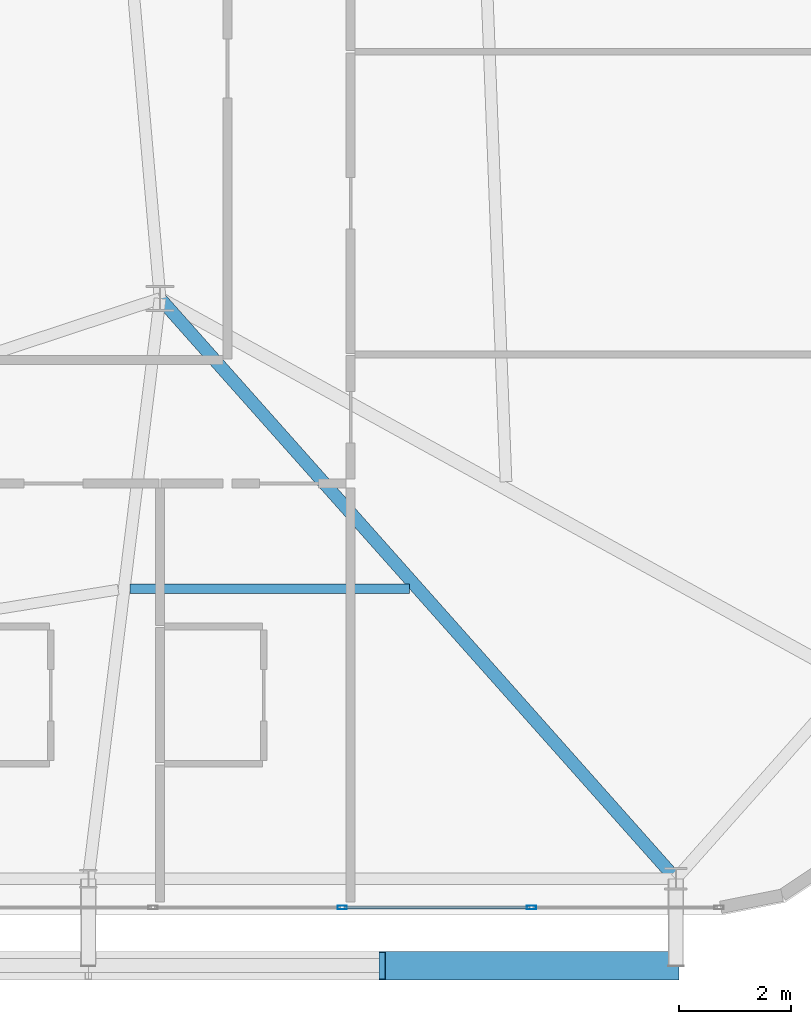
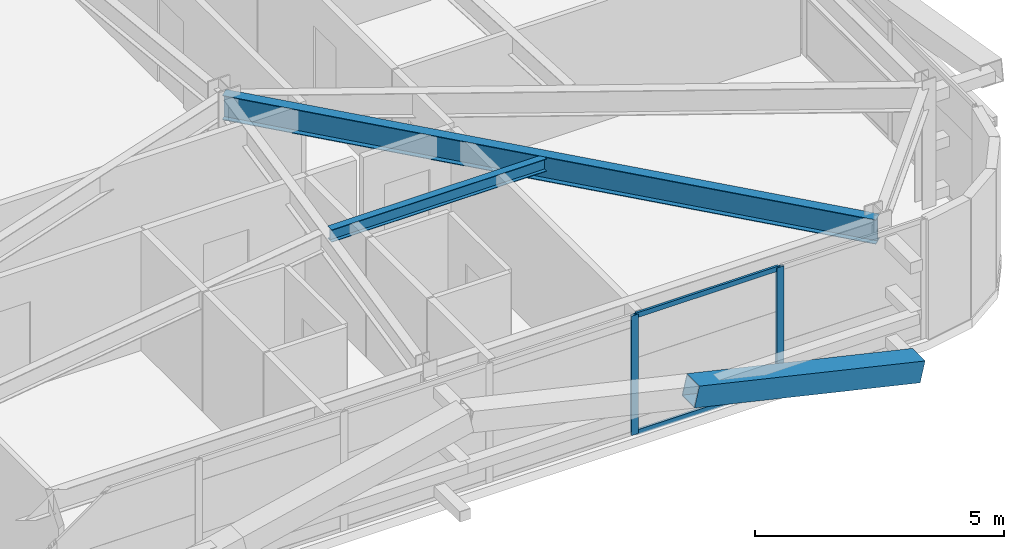
# One storey, part 23 of 58: 5 members, 2 beams, 1 element without a shape of its own.
"""IFC4 building model written with IfcOpenShell, lengths in metres."""

from ifc_helpers import new_model, si_unit, direction, frame, origin, origin_2d, place, context, subcontext, project, spatial, hollow_rectangle, i_section, extrude, source, transform, mapped, material, layer, layer_set, material_profile, profile_set, type_object, element, aggregate, save


model = new_model("IFC4")

# Units and contexts
model_context = context("Model", 3, precision=1e-05, world=origin(), true_north=direction((0.0, 1.0)))
body_context = subcontext(model_context, "Body", "Model", "MODEL_VIEW")
ifc_project = project(units=[si_unit("LENGTHUNIT", "METRE"), si_unit("AREAUNIT", "SQUARE_METRE"), si_unit("VOLUMEUNIT", "CUBIC_METRE"), si_unit("PLANEANGLEUNIT", "RADIAN"), si_unit("MASSUNIT", "GRAM", prefix="KILO")], contexts=[model_context])

# Site, building, storey
site_placement = place(None, origin())
site = spatial("IfcSite", under=ifc_project, at=site_placement, CompositionType="ELEMENT")
building_placement = place(site_placement, origin())
building = spatial("IfcBuilding", under=site, at=building_placement, Name="Taldren Reach Tower", CompositionType="ELEMENT")
storey_placement = place(building_placement, frame((0.0, 0.0, 51.449951171875)))
storey = spatial("IfcBuildingStorey", under=building, at=storey_placement, Name="L15", CompositionType="ELEMENT", Elevation=51.449951171875)

# Beams
ifc_material_1 = material(Name="Steel Gr 350 (350PLUS)", Category="steel")
ifc_material_profile_1 = material_profile(ifc_material_1, i_section(OverallWidth=0.22802734375, OverallDepth=0.60205078125, WebThickness=0.010498046875, FlangeThickness=0.014892578125, at=origin_2d()), Name="610UB101")
ifc_profile_set_1 = profile_set([ifc_material_profile_1], Name="Steel Gr 350 (350PLUS)")
beam_type_1 = type_object("IfcBeamType", Name="BM-UB610B", PredefinedType="BEAM", material=ifc_profile_set_1)
shared_shape_1 = source(origin(), body_context, "Body", "SweptSolid", [
    extrude(i_section(OverallWidth=0.22802734375, OverallDepth=0.60205078125, WebThickness=0.010498046875, FlangeThickness=0.014892578125, at=origin_2d()), origin(), (0.0, 0.0, 1.0), 13.847900390625),
])
beam_1_placement = place(storey_placement, frame((52.0, 12.5, 2.629150390625), z_axis=(0.664358367375, -0.747414182164, 0.0), x_axis=(0.747414182164, 0.664358367375, 0.0)))
element("IfcBeam", 1, at=beam_1_placement, inside=storey, type_object=beam_type_1, Name="Primary floor girder B1-S6 L15", PredefinedType="BEAM", context=body_context, shape_type="MappedRepresentation", body=[
    mapped(shared_shape_1, transform((0.0, 0.0, 0.0), scale=1.0)),
])
ifc_material_2 = material(Name="Steel Gr 300 (300PLUS, 300 MPa)", Category="steel")
ifc_material_profile_2 = material_profile(ifc_material_2, i_section(OverallWidth=0.166015625, OverallDepth=0.306884765625, WebThickness=0.006591796875, FlangeThickness=0.01171875, at=origin_2d()), Name="310UB46.2")
ifc_profile_set_2 = profile_set([ifc_material_profile_2], Name="Steel Gr 300 (300PLUS, 300 MPa)")
beam_type_2 = type_object("IfcBeamType", Name="JS-UB310", PredefinedType="JOIST", material=ifc_profile_set_2)
shared_shape_2 = source(origin(), body_context, "Body", "SweptSolid", [
    extrude(i_section(OverallWidth=0.166015625, OverallDepth=0.306884765625, WebThickness=0.006591796875, FlangeThickness=0.01171875, at=origin_2d()), origin(), (0.0, 0.0, 1.0), 4.982177734375),
])
beam_2_placement = place(storey_placement, frame((51.46533203125, 7.324951171875, 2.776611328125), z_axis=(1.0, 0.0, 0.0), x_axis=(0.0, 1.0, 0.0)))
element("IfcBeam", 2, at=beam_2_placement, inside=storey, type_object=beam_type_2, Name="Secondary floor joist B1 J5 L15", PredefinedType="JOIST", context=body_context, shape_type="MappedRepresentation", body=[
    mapped(shared_shape_2, transform((0.0, 0.0, 0.0), scale=1.0)),
])

# Member
ifc_material_3 = material(Name="Steel Gr 450 (C450L0)", Category="steel")
ifc_material_profile_3 = material_profile(ifc_material_3, hollow_rectangle(XDim=0.510009765625, YDim=0.510009765625, WallThickness=0.02001953125, at=origin_2d()), Name="510x510x20.0SHS")
ifc_profile_set_3 = profile_set([ifc_material_profile_3], Name="Steel Gr 450 (C450L0)")
member_type_1 = type_object("IfcMemberType", Name="MB-EXO508", PredefinedType="BRACE", material=ifc_profile_set_3)
shared_shape_3 = source(origin(), body_context, "Body", "SweptSolid", [
    extrude(hollow_rectangle(XDim=0.510009765625, YDim=0.510009765625, WallThickness=0.02001953125, at=origin_2d()), origin(), (0.0, 0.0, 1.0), 5.37890625),
])
member_1_placement = place(storey_placement, frame((61.199951171875, 0.60009765625, 0.219970703125), z_axis=(-0.97415197996, 0.0, 0.225893603143), x_axis=(0.0, -1.0, 0.0)))
element("IfcMember", 3, at=member_1_placement, inside=storey, type_object=member_type_1, Name="Exoskeleton Diagrid Brace B1-S5 L15", PredefinedType="BRACE", context=body_context, shape_type="MappedRepresentation", body=[
    mapped(shared_shape_3, transform((0.0, 0.0, 0.0), scale=1.0)),
])

# Curtain wall, members
ifc_material_4 = material(Name="Aluminium and Low-E Glass Unitised System", Category="aluminium")
ifc_layer = layer(ifc_material_4, 0.159912109375)
ifc_layer_set = layer_set([ifc_layer], Name="Aluminium and Low-E Glass Unitised System")
curtain_wall_type = type_object("IfcCurtainWallType", Name="CW-SYS-2", PredefinedType="NOTDEFINED", material=ifc_layer_set)
curtain_wall_placement = place(storey_placement, origin())
curtain_wall = element("IfcCurtainWall", 4, at=curtain_wall_placement, inside=storey, type_object=curtain_wall_type, Name="Unitised curtain wall CW-L15-S", PredefinedType="NOTDEFINED")
ifc_material_5 = material(Name="Anodised Aluminium 6063-T6", Category="aluminium")
ifc_material_profile_4 = material_profile(ifc_material_5, hollow_rectangle(XDim=0.06494140625, YDim=0.1650390625, WallThickness=0.00390625, at=origin_2d()), Name="ALU-165x65x4RHS")
ifc_profile_set_4 = profile_set([ifc_material_profile_4], Name="Anodised Aluminium 6063-T6")
member_type_2 = type_object("IfcMemberType", Name="CW-MUL-165", PredefinedType="MULLION", material=ifc_profile_set_4)
shared_shape_4 = source(origin(), body_context, "Body", "SweptSolid", [
    extrude(hollow_rectangle(XDim=0.06494140625, YDim=0.1650390625, WallThickness=0.00390625, at=origin_2d()), origin(), (0.0, 0.0, 1.0), 2.929931640625),
])
member_2_placement = place(storey_placement, frame((55.25, 1.639892578125, 0.0), z_axis=(0.0, 0.0, 1.0), x_axis=(0.0, 1.0, 0.0)))
member_2 = element("IfcMember", 5, at=member_2_placement, type_object=member_type_2, Name="CW-2 mullion 15", PredefinedType="MULLION", context=body_context, shape_type="MappedRepresentation", body=[
    mapped(shared_shape_4, transform((0.0, 0.0, 0.0), scale=1.0)),
])
member_3_placement = place(storey_placement, frame((58.625, 1.639892578125, 0.0), z_axis=(0.0, 0.0, 1.0), x_axis=(0.0, 1.0, 0.0)))
member_3 = element("IfcMember", 6, at=member_3_placement, type_object=member_type_2, Name="CW-2 mullion 16", PredefinedType="MULLION", context=body_context, shape_type="MappedRepresentation", body=[
    mapped(shared_shape_4, transform((0.0, 0.0, 0.0), scale=1.0)),
])
ifc_material_profile_5 = material_profile(ifc_material_5, hollow_rectangle(XDim=0.054931640625, YDim=0.1201171875, WallThickness=0.0029296875, at=origin_2d()), Name="ALU-120x55x3RHS")
ifc_profile_set_5 = profile_set([ifc_material_profile_5], Name="Anodised Aluminium 6063-T6")
member_type_3 = type_object("IfcMemberType", Name="CW-TRN-135", PredefinedType="USERDEFINED", material=ifc_profile_set_5)
shared_shape_5 = source(origin(), body_context, "Body", "SweptSolid", [
    extrude(hollow_rectangle(XDim=0.054931640625, YDim=0.1201171875, WallThickness=0.0029296875, at=origin_2d()), origin(), (0.0, 0.0, 1.0), 3.31005859375),
])
member_4_placement = place(storey_placement, frame((55.282470703125, 1.639892578125, 0.027587890625), z_axis=(1.0, 0.0, 0.0), x_axis=(0.0, 1.0, 0.0)))
member_4 = element("IfcMember", 7, at=member_4_placement, type_object=member_type_3, Name="CW-2 transom 15.1", ObjectType="TRANSOM", PredefinedType="USERDEFINED", context=body_context, shape_type="MappedRepresentation", body=[
    mapped(shared_shape_5, transform((0.0, 0.0, 0.0), scale=1.0)),
])
member_5_placement = place(storey_placement, frame((55.282470703125, 1.639892578125, 2.902587890625), z_axis=(1.0, 0.0, 0.0), x_axis=(0.0, 1.0, 0.0)))
member_5 = element("IfcMember", 8, at=member_5_placement, type_object=member_type_3, Name="CW-2 transom 15.2", ObjectType="TRANSOM", PredefinedType="USERDEFINED", context=body_context, shape_type="MappedRepresentation", body=[
    mapped(shared_shape_5, transform((0.0, 0.0, 0.0), scale=1.0)),
])
aggregate(curtain_wall, [member_2, member_3, member_4, member_5])

save(model, "model.ifc")
